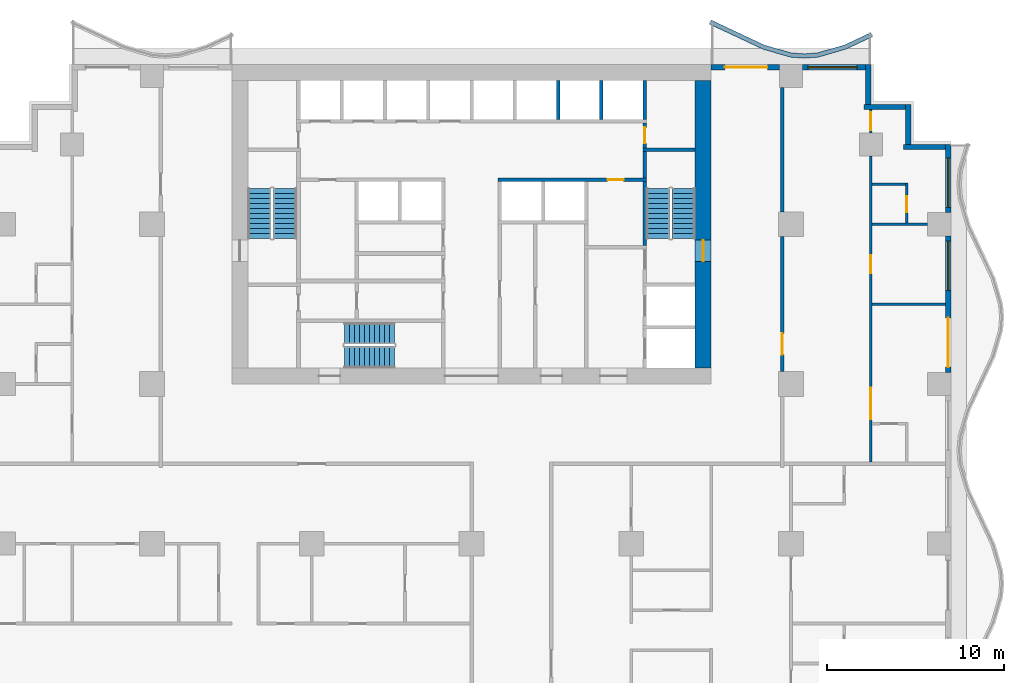
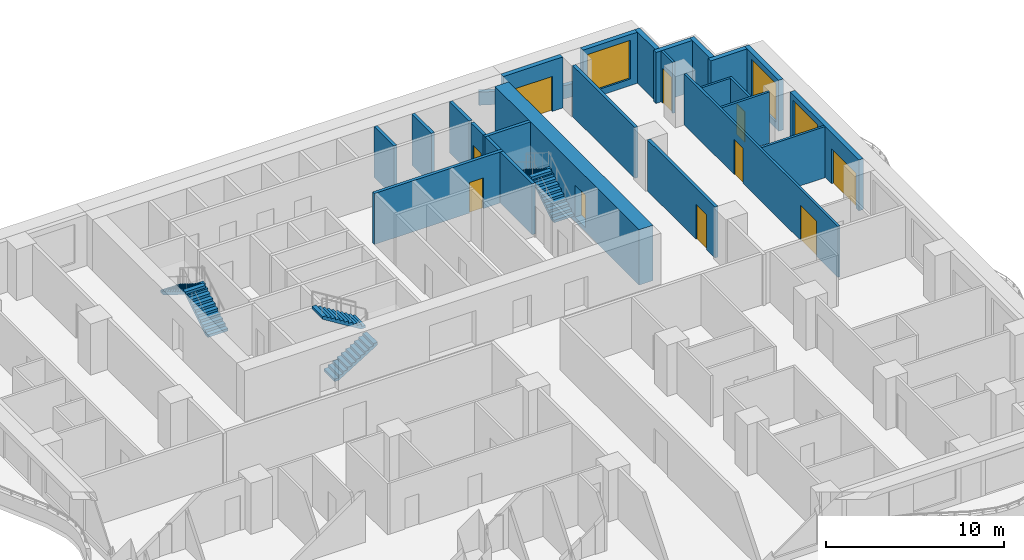
# One storey, part 6 of 13: 26 walls, 10 doors, 6 stair flights, 3 windows, 13 openings, 3 elements without a shape of their own.
"""IFC4 building model written with IfcOpenShell, lengths in metres."""

from ifc_helpers import new_model, si_unit, direction, frame, frame_2d, origin, place, context, subcontext, project, spatial, polyline, rectangle, outline, extrude, material, layer, layer_set, type_object, element, fill, aggregate, save


model = new_model("IFC4")

# Units and contexts
model_context = context("Model", 3, precision=1e-05, world=origin(), true_north=direction((0.0, 1.0)))
body_context = subcontext(model_context, "Body", "Model", "MODEL_VIEW")
ifc_project = project(units=[si_unit("LENGTHUNIT", "METRE"), si_unit("AREAUNIT", "SQUARE_METRE"), si_unit("VOLUMEUNIT", "CUBIC_METRE"), si_unit("PLANEANGLEUNIT", "RADIAN"), si_unit("MASSUNIT", "GRAM", prefix="KILO")], contexts=[model_context])

# Site, building, storey
site_placement = place(None, origin())
site = spatial("IfcSite", under=ifc_project, at=site_placement, CompositionType="ELEMENT")
building_placement = place(site_placement, origin())
building = spatial("IfcBuilding", under=site, at=building_placement, Name="Orbiselva Terraces", CompositionType="ELEMENT")
storey_placement = place(building_placement, frame((0.0, 0.0, 92.2)))
storey = spatial("IfcBuildingStorey", under=building, at=storey_placement, Name="L23", CompositionType="ELEMENT", Elevation=92.2)

# Wall, opening, door
ifc_material_1 = material(Name="Concrete C80/95", Category="concrete")
ifc_layer_1 = layer(ifc_material_1, 0.9)
ifc_layer_set_1 = layer_set([ifc_layer_1], Name="Concrete C80/95")
wall_type_1 = type_object("IfcWallType", Name="CORE WALL 900", PredefinedType="SHEAR", material=ifc_layer_set_1)
wall_1_placement = place(storey_placement, frame((13.05, 5.4, -0.3), z_axis=(0.0, 0.0, 1.0), x_axis=(0.0, 1.0, 0.0)))
wall_1 = element("IfcWall", 1, at=wall_1_placement, inside=storey, type_object=wall_type_1, Name="Core wall L23 east", PredefinedType="SHEAR", context=body_context, shape_type="SweptSolid", body=[
    extrude(rectangle(XDim=16.2, YDim=0.9, at=frame_2d((8.1, 0.0))), origin(), (0.0, 0.0, 1.0), 3.8),
])
opening_1_placement = place(wall_1_placement, frame((6.0, 0.0, 0.3)))
opening_1 = element("IfcOpeningElement", 2, at=opening_1_placement, cuts=wall_1, Name="Opening DS1200", PredefinedType="OPENING", context=body_context, shape_type="SweptSolid", body=[
    extrude(rectangle(XDim=1.2, YDim=2.2, at=frame_2d((0.6, 1.1))), frame((0.0, 0.46, 0.0), z_axis=(0.0, -1.0, 0.0), x_axis=(1.0, 0.0, 0.0)), (0.0, 0.0, 1.0), 0.92),
])
ifc_material_2 = material(Name="Steel fire door", Category="steel")
door_type_1 = type_object("IfcDoorType", Name="STAIR DOOR 1200", OperationType="NOTDEFINED", PredefinedType="DOOR", material=ifc_material_2)
door_1_placement = place(opening_1_placement, frame((1.2, 0.0, 0.0), z_axis=(0.0, 0.0, 1.0), x_axis=(-1.0, 0.0, 0.0)))
door_1 = element("IfcDoor", 3, at=door_1_placement, inside=storey, type_object=door_type_1, Name="L23 EXIT STAIR S2 door", OperationType="SINGLE_SWING_LEFT", OverallHeight=2.2, OverallWidth=1.2, PredefinedType="DOOR", context=body_context, shape_type="SweptSolid", body=[
    extrude(rectangle(XDim=1.2, YDim=2.2, at=frame_2d((0.6, 1.1))), frame((0.0, 0.025, 0.0), z_axis=(0.0, -1.0, 0.0), x_axis=(1.0, 0.0, 0.0)), (0.0, 0.0, 1.0), 0.05),
])
fill(opening_1, door_1)

ifc_material_3 = material(Name="Masonry blockwork", Category="masonry")
ifc_layer_2 = layer(ifc_material_3, 0.2)
ifc_layer_set_2 = layer_set([ifc_layer_2], Name="Masonry blockwork")
wall_type_2 = type_object("IfcWallType", Name="CORE-WALL-PARTITION-200", PredefinedType="PARTITIONING", material=ifc_layer_set_2)
wall_2_placement = place(storey_placement, frame((9.75, 19.2, 0.0), z_axis=(0.0, 0.0, 1.0), x_axis=(0.0, -1.0, 0.0)))
wall_2 = element("IfcWall", 4, at=wall_2_placement, inside=storey, type_object=wall_type_2, Name="L23 core wall 50", PredefinedType="PARTITIONING", context=body_context, shape_type="SweptSolid", body=[
    extrude(rectangle(XDim=1.4, YDim=0.2, at=frame_2d((0.7, 0.0))), origin(), (0.0, 0.0, 1.0), 3.5),
])
opening_2_placement = place(wall_2_placement, frame((0.25, 0.0, 0.0)))
opening_2 = element("IfcOpeningElement", 5, at=opening_2_placement, cuts=wall_2, Name="Opening DR900", PredefinedType="OPENING", context=body_context, shape_type="SweptSolid", body=[
    extrude(rectangle(XDim=0.9, YDim=2.1, at=frame_2d((0.45, 1.05))), frame((0.0, 0.11, 0.0), z_axis=(0.0, -1.0, 0.0), x_axis=(1.0, 0.0, 0.0)), (0.0, 0.0, 1.0), 0.22),
])
door_type_2 = type_object("IfcDoorType", Name="ROOM DOOR 900", OperationType="NOTDEFINED", PredefinedType="DOOR", material=ifc_material_2)
door_2_placement = place(opening_2_placement, origin())
door_2 = element("IfcDoor", 6, at=door_2_placement, inside=storey, type_object=door_type_2, Name="L23 ELECTRICAL RISER ROOM door", OperationType="SINGLE_SWING_RIGHT", OverallHeight=2.1, OverallWidth=0.9, PredefinedType="DOOR", context=body_context, shape_type="SweptSolid", body=[
    extrude(rectangle(XDim=0.9, YDim=2.1, at=frame_2d((0.45, 1.05))), frame((0.0, 0.025, 0.0), z_axis=(0.0, -1.0, 0.0), x_axis=(1.0, 0.0, 0.0)), (0.0, 0.0, 1.0), 0.05),
])
fill(opening_2, door_2)

# Walls
ifc_material_4 = material(Name="Concrete C40/50", Category="concrete")
ifc_layer_3 = layer(ifc_material_4, 0.2)
ifc_layer_set_3 = layer_set([ifc_layer_3], Name="Concrete C40/50")
wall_type_3 = type_object("IfcWallType", Name="CORE-WALL-SHAFT-200", PredefinedType="PARTITIONING", material=ifc_layer_set_3)
for number, where, z_axis, x_axis, name in (
    (7, (4.875, 19.4, 0.0), (0.0, 0.0, 1.0), (0.0, 1.0, 0.0), "L23 core wall 36"),
    (8, (7.3125, 19.4, 0.0), (0.0, 0.0, 1.0), (0.0, 1.0, 0.0), "L23 core wall 41"),
    (9, (9.75, 19.4, 0.0), (0.0, 0.0, 1.0), (0.0, 1.0, 0.0), "L23 core wall 51"),
):
    element("IfcWall", number, at=place(storey_placement, frame(where, z_axis=z_axis, x_axis=x_axis)), inside=storey, type_object=wall_type_3, Name=name, PredefinedType="PARTITIONING", context=body_context, shape_type="SweptSolid", body=[
        extrude(rectangle(XDim=2.2, YDim=0.2, at=frame_2d((1.1, 0.0))), origin(), (0.0, 0.0, 1.0), 3.5),
    ])

# Wall, opening, door
ifc_material_5 = material(Name="Concrete C60/75", Category="concrete")
ifc_layer_4 = layer(ifc_material_5, 0.2)
ifc_layer_set_4 = layer_set([ifc_layer_4], Name="Concrete C60/75")
wall_type_4 = type_object("IfcWallType", Name="CORE-WALL-SHEAR-200", PredefinedType="SHEAR", material=ifc_layer_set_4)
wall_3_placement = place(storey_placement, frame((9.85, 16.0, 0.0), z_axis=(0.0, 0.0, 1.0), x_axis=(-1.0, 0.0, 0.0)))
wall_3 = element("IfcWall", 10, at=wall_3_placement, inside=storey, type_object=wall_type_4, Name="L23 core wall 32", PredefinedType="SHEAR", context=body_context, shape_type="SweptSolid", body=[
    extrude(rectangle(XDim=8.35, YDim=0.2, at=frame_2d((4.175, 0.0))), origin(), (0.0, 0.0, 1.0), 3.5),
])
opening_3_placement = place(wall_3_placement, frame((1.2875, 0.0, 0.0)))
opening_3 = element("IfcOpeningElement", 11, at=opening_3_placement, cuts=wall_3, Name="Opening DR900", PredefinedType="OPENING", context=body_context, shape_type="SweptSolid", body=[
    extrude(rectangle(XDim=0.9, YDim=2.1, at=frame_2d((0.45, 1.05))), frame((0.0, 0.11, 0.0), z_axis=(0.0, -1.0, 0.0), x_axis=(1.0, 0.0, 0.0)), (0.0, 0.0, 1.0), 0.22),
])
door_3_placement = place(opening_3_placement, origin())
door_3 = element("IfcDoor", 12, at=door_3_placement, inside=storey, type_object=door_type_2, Name="L23 PIPE RISER ROOM door", OperationType="SINGLE_SWING_LEFT", OverallHeight=2.1, OverallWidth=0.9, PredefinedType="DOOR", context=body_context, shape_type="SweptSolid", body=[
    extrude(rectangle(XDim=0.9, YDim=2.1, at=frame_2d((0.45, 1.05))), frame((0.0, 0.025, 0.0), z_axis=(0.0, -1.0, 0.0), x_axis=(1.0, 0.0, 0.0)), (0.0, 0.0, 1.0), 0.05),
])
fill(opening_3, door_3)

# Walls
wall_4_placement = place(storey_placement, frame((9.75, 12.3, 0.0), z_axis=(0.0, 0.0, 1.0), x_axis=(0.0, 1.0, 0.0)))
element("IfcWall", 13, at=wall_4_placement, inside=storey, type_object=wall_type_4, Name="L23 core wall 47", PredefinedType="SHEAR", context=body_context, shape_type="SweptSolid", body=[
    extrude(rectangle(XDim=3.6, YDim=0.2, at=frame_2d((1.8, 0.0))), origin(), (0.0, 0.0, 1.0), 3.5),
])
wall_5_placement = place(storey_placement, frame((9.75, 16.1, 0.0), z_axis=(0.0, 0.0, 1.0), x_axis=(0.0, 1.0, 0.0)))
element("IfcWall", 14, at=wall_5_placement, inside=storey, type_object=wall_type_4, Name="L23 core wall 48", PredefinedType="SHEAR", context=body_context, shape_type="SweptSolid", body=[
    extrude(rectangle(XDim=1.5, YDim=0.2, at=frame_2d((0.75, 0.0))), origin(), (0.0, 0.0, 1.0), 3.5),
])
wall_6_placement = place(storey_placement, frame((9.65, 17.7, 0.0), z_axis=(0.0, 0.0, 1.0), x_axis=(1.0, 0.0, 0.0)))
element("IfcWall", 15, at=wall_6_placement, inside=storey, type_object=wall_type_4, Name="L23 core wall 49", PredefinedType="SHEAR", context=body_context, shape_type="SweptSolid", body=[
    extrude(rectangle(XDim=2.95, YDim=0.2, at=frame_2d((1.475, 0.0))), origin(), (0.0, 0.0, 1.0), 3.5),
])
ifc_layer_5 = layer(ifc_material_4, 0.25)
ifc_layer_set_5 = layer_set([ifc_layer_5], Name="Concrete C40/50")
wall_type_5 = type_object("IfcWallType", Name="ENV-PLANTER-250x900", PredefinedType="USERDEFINED", material=ifc_layer_set_5)
wall_7_placement = place(storey_placement, origin())
element("IfcWall", 16, at=wall_7_placement, inside=storey, type_object=wall_type_5, Name="Balcony planter L23 NE", ObjectType="PLANTER", PredefinedType="USERDEFINED", context=body_context, shape_type="SweptSolid", body=[
    extrude(outline(polyline([(22.5, 24.3), (21.0, 23.594658), (19.5, 23.158732), (18.75, 23.1), (18.0, 23.158732), (16.5, 23.594658), (15.0, 24.3), (13.5, 25.005342), (13.393617, 24.779106), (14.893617, 24.073764), (16.411382, 23.360069), (17.954886, 22.911499), (18.75, 22.849235), (19.545114, 22.911499), (21.088618, 23.360069), (22.606383, 24.073764), (22.5, 24.3)])), origin(), (0.0, 0.0, 1.0), 0.9),
])

# Wall, openings, door, window
ifc_material_6 = material(Name="Terracotta cladding on masonry backing", Category="masonry")
ifc_layer_6 = layer(ifc_material_6, 0.3)
ifc_layer_set_6 = layer_set([ifc_layer_6], Name="Terracotta cladding on masonry backing")
wall_type_6 = type_object("IfcWallType", Name="ENV-WALL-TERRACOTTA-300", PredefinedType="SOLIDWALL", material=ifc_layer_set_6)
wall_8_placement = place(storey_placement, frame((26.85, 12.85, 0.0), z_axis=(0.0, 0.0, 1.0), x_axis=(0.0, -1.0, 0.0)))
wall_8 = element("IfcWall", 17, at=wall_8_placement, inside=storey, type_object=wall_type_6, Name="Facade wall L23 E", PredefinedType="SOLIDWALL", context=body_context, shape_type="SweptSolid", body=[
    extrude(rectangle(XDim=7.7, YDim=0.3, at=frame_2d((3.85, 0.0))), origin(), (0.0, 0.0, 1.0), 3.5),
])
opening_4_placement = place(wall_8_placement, frame((4.625, 0.0, 0.0)))
opening_4 = element("IfcOpeningElement", 18, at=opening_4_placement, cuts=wall_8, Name="Opening Z2-C-E05", PredefinedType="OPENING", context=body_context, shape_type="SweptSolid", body=[
    extrude(rectangle(XDim=2.775, YDim=2.4, at=frame_2d((1.3875, 1.2))), frame((0.0, 0.16, 0.0), z_axis=(0.0, -1.0, 0.0), x_axis=(1.0, 0.0, 0.0)), (0.0, 0.0, 1.0), 0.32),
])
opening_5_placement = place(wall_8_placement, frame((0.3, 0.0, 0.45)))
opening_5 = element("IfcOpeningElement", 19, at=opening_5_placement, cuts=wall_8, Name="Opening WN6", PredefinedType="OPENING", context=body_context, shape_type="SweptSolid", body=[
    extrude(rectangle(XDim=2.775, YDim=2.65, at=frame_2d((1.3875, 1.325))), frame((0.0, 0.16, 0.0), z_axis=(0.0, -1.0, 0.0), x_axis=(1.0, 0.0, 0.0)), (0.0, 0.0, 1.0), 0.32),
])
ifc_material_7 = material(Name="Clear low-e glazing in aluminium frame", Category="aluminium")
door_type_3 = type_object("IfcDoorType", Name="BALCONY DOOR 2775 X 2400", OperationType="DOUBLE_DOOR_SLIDING", PredefinedType="DOOR", material=ifc_material_7)
door_4_placement = place(opening_4_placement, origin())
door_4 = element("IfcDoor", 20, at=door_4_placement, inside=storey, type_object=door_type_3, Name="Z2-C-E05", OperationType="SINGLE_SWING_LEFT", OverallHeight=2.4, OverallWidth=2.775, PredefinedType="DOOR", context=body_context, shape_type="SweptSolid", body=[
    extrude(rectangle(XDim=2.775, YDim=2.4, at=frame_2d((1.3875, 1.2))), frame((0.0, 0.025, 0.0), z_axis=(0.0, -1.0, 0.0), x_axis=(1.0, 0.0, 0.0)), (0.0, 0.0, 1.0), 0.05),
])
fill(opening_4, door_4)
window_type = type_object("IfcWindowType", Name="WINDOW 2775 X 2650 S450", PartitioningType="TRIPLE_PANEL_VERTICAL", PredefinedType="WINDOW", material=ifc_material_7)
window_1_placement = place(opening_5_placement, origin())
window_1 = element("IfcWindow", 21, at=window_1_placement, inside=storey, type_object=window_type, Name="Window L23 E", OverallHeight=2.65, OverallWidth=2.775, PartitioningType="SINGLE_PANEL", PredefinedType="WINDOW", context=body_context, shape_type="SweptSolid", body=[
    extrude(rectangle(XDim=2.775, YDim=2.65, at=frame_2d((1.3875, 1.325))), frame((0.0, 0.03, 0.0), z_axis=(0.0, -1.0, 0.0), x_axis=(1.0, 0.0, 0.0)), (0.0, 0.0, 1.0), 0.06),
])
fill(opening_5, window_1)

# Wall, opening, window
wall_9_placement = place(storey_placement, frame((26.85, 18.0, 0.0), z_axis=(0.0, 0.0, 1.0), x_axis=(0.0, -1.0, 0.0)))
wall_9 = element("IfcWall", 22, at=wall_9_placement, inside=storey, type_object=wall_type_6, Name="Facade wall L23 E", PredefinedType="SOLIDWALL", context=body_context, shape_type="SweptSolid", body=[
    extrude(rectangle(XDim=3.85, YDim=0.3, at=frame_2d((1.925, 0.0))), origin(), (0.0, 0.0, 1.0), 3.5),
])
opening_6_placement = place(wall_9_placement, frame((0.775, 0.0, 0.45)))
opening_6 = element("IfcOpeningElement", 23, at=opening_6_placement, cuts=wall_9, Name="Opening WN6", PredefinedType="OPENING", context=body_context, shape_type="SweptSolid", body=[
    extrude(rectangle(XDim=2.775, YDim=2.65, at=frame_2d((1.3875, 1.325))), frame((0.0, 0.16, 0.0), z_axis=(0.0, -1.0, 0.0), x_axis=(1.0, 0.0, 0.0)), (0.0, 0.0, 1.0), 0.32),
])
window_2_placement = place(opening_6_placement, origin())
window_2 = element("IfcWindow", 24, at=window_2_placement, inside=storey, type_object=window_type, Name="Window L23 E", OverallHeight=2.65, OverallWidth=2.775, PartitioningType="SINGLE_PANEL", PredefinedType="WINDOW", context=body_context, shape_type="SweptSolid", body=[
    extrude(rectangle(XDim=2.775, YDim=2.65, at=frame_2d((1.3875, 1.325))), frame((0.0, 0.03, 0.0), z_axis=(0.0, -1.0, 0.0), x_axis=(1.0, 0.0, 0.0)), (0.0, 0.0, 1.0), 0.06),
])
fill(opening_6, window_2)

# Walls
wall_10_placement = place(storey_placement, frame((24.35, 17.85, 0.0), z_axis=(0.0, 0.0, 1.0), x_axis=(1.0, 0.0, 0.0)))
element("IfcWall", 25, at=wall_10_placement, inside=storey, type_object=wall_type_6, Name="Facade wall L23 STEP", PredefinedType="SOLIDWALL", context=body_context, shape_type="SweptSolid", body=[
    extrude(rectangle(XDim=2.35, YDim=0.3, at=frame_2d((1.175, 0.0))), origin(), (0.0, 0.0, 1.0), 3.5),
])
wall_11_placement = place(storey_placement, frame((24.6, 20.25, 0.0), z_axis=(0.0, 0.0, 1.0), x_axis=(0.0, -1.0, 0.0)))
element("IfcWall", 26, at=wall_11_placement, inside=storey, type_object=wall_type_6, Name="Facade wall L23 STEP", PredefinedType="SOLIDWALL", context=body_context, shape_type="SweptSolid", body=[
    extrude(rectangle(XDim=2.25, YDim=0.3, at=frame_2d((1.125, 0.0))), origin(), (0.0, 0.0, 1.0), 3.5),
])
wall_12_placement = place(storey_placement, frame((22.1, 20.1, 0.0), z_axis=(0.0, 0.0, 1.0), x_axis=(1.0, 0.0, 0.0)))
element("IfcWall", 27, at=wall_12_placement, inside=storey, type_object=wall_type_6, Name="Facade wall L23 STEP", PredefinedType="SOLIDWALL", context=body_context, shape_type="SweptSolid", body=[
    extrude(rectangle(XDim=2.35, YDim=0.3, at=frame_2d((1.175, 0.0))), origin(), (0.0, 0.0, 1.0), 3.5),
])
wall_13_placement = place(storey_placement, frame((22.35, 22.5, 0.0), z_axis=(0.0, 0.0, 1.0), x_axis=(0.0, -1.0, 0.0)))
element("IfcWall", 28, at=wall_13_placement, inside=storey, type_object=wall_type_6, Name="Facade wall L23 STEP", PredefinedType="SOLIDWALL", context=body_context, shape_type="SweptSolid", body=[
    extrude(rectangle(XDim=2.25, YDim=0.3, at=frame_2d((1.125, 0.0))), origin(), (0.0, 0.0, 1.0), 3.5),
])

# Wall, opening, window
wall_14_placement = place(storey_placement, frame((18.65, 22.35, 0.0), z_axis=(0.0, 0.0, 1.0), x_axis=(1.0, 0.0, 0.0)))
wall_14 = element("IfcWall", 29, at=wall_14_placement, inside=storey, type_object=wall_type_6, Name="Facade wall L23 NE", PredefinedType="SOLIDWALL", context=body_context, shape_type="SweptSolid", body=[
    extrude(rectangle(XDim=3.55, YDim=0.3, at=frame_2d((1.775, 0.0))), origin(), (0.0, 0.0, 1.0), 3.5),
])
opening_7_placement = place(wall_14_placement, frame((0.3, 0.0, 0.45)))
opening_7 = element("IfcOpeningElement", 30, at=opening_7_placement, cuts=wall_14, Name="Opening WN6", PredefinedType="OPENING", context=body_context, shape_type="SweptSolid", body=[
    extrude(rectangle(XDim=2.775, YDim=2.65, at=frame_2d((1.3875, 1.325))), frame((0.0, 0.16, 0.0), z_axis=(0.0, -1.0, 0.0), x_axis=(1.0, 0.0, 0.0)), (0.0, 0.0, 1.0), 0.32),
])
window_3_placement = place(opening_7_placement, origin())
window_3 = element("IfcWindow", 31, at=window_3_placement, inside=storey, type_object=window_type, Name="Window L23 NE", OverallHeight=2.65, OverallWidth=2.775, PartitioningType="SINGLE_PANEL", PredefinedType="WINDOW", context=body_context, shape_type="SweptSolid", body=[
    extrude(rectangle(XDim=2.775, YDim=2.65, at=frame_2d((1.3875, 1.325))), frame((0.0, 0.03, 0.0), z_axis=(0.0, -1.0, 0.0), x_axis=(1.0, 0.0, 0.0)), (0.0, 0.0, 1.0), 0.06),
])
fill(opening_7, window_3)

# Wall, opening, door
wall_15_placement = place(storey_placement, frame((13.5, 22.35, 0.0), z_axis=(0.0, 0.0, 1.0), x_axis=(1.0, 0.0, 0.0)))
wall_15 = element("IfcWall", 32, at=wall_15_placement, inside=storey, type_object=wall_type_6, Name="Facade wall L23 NE", PredefinedType="SOLIDWALL", context=body_context, shape_type="SweptSolid", body=[
    extrude(rectangle(XDim=3.85, YDim=0.3, at=frame_2d((1.925, 0.0))), origin(), (0.0, 0.0, 1.0), 3.5),
])
opening_8_placement = place(wall_15_placement, frame((0.775, 0.0, 0.0)))
opening_8 = element("IfcOpeningElement", 33, at=opening_8_placement, cuts=wall_15, Name="Opening Z2-C-E06", PredefinedType="OPENING", context=body_context, shape_type="SweptSolid", body=[
    extrude(rectangle(XDim=2.4, YDim=2.4, at=frame_2d((1.2, 1.2))), frame((0.0, 0.16, 0.0), z_axis=(0.0, -1.0, 0.0), x_axis=(1.0, 0.0, 0.0)), (0.0, 0.0, 1.0), 0.32),
])
door_type_4 = type_object("IfcDoorType", Name="BALCONY DOOR 2400 X 2400", OperationType="DOUBLE_DOOR_SLIDING", PredefinedType="DOOR", material=ifc_material_7)
door_5_placement = place(opening_8_placement, origin())
door_5 = element("IfcDoor", 34, at=door_5_placement, inside=storey, type_object=door_type_4, Name="Z2-C-E06", OperationType="SINGLE_SWING_LEFT", OverallHeight=2.4, OverallWidth=2.4, PredefinedType="DOOR", context=body_context, shape_type="SweptSolid", body=[
    extrude(rectangle(XDim=2.4, YDim=2.4, at=frame_2d((1.2, 1.2))), frame((0.0, 0.025, 0.0), z_axis=(0.0, -1.0, 0.0), x_axis=(1.0, 0.0, 0.0)), (0.0, 0.0, 1.0), 0.05),
])
fill(opening_8, door_5)

ifc_material_8 = material(Name="Plasterboard on steel stud partition", Category="steel")
ifc_layer_7 = layer(ifc_material_8, 0.2)
ifc_layer_set_7 = layer_set([ifc_layer_7], Name="Plasterboard on steel stud partition")
wall_type_7 = type_object("IfcWallType", Name="UNIT-ENTRANCE-WALL-200", PredefinedType="PARTITIONING", material=ifc_layer_set_7)
wall_16_placement = place(storey_placement, frame((17.5, 12.8, 0.0), z_axis=(0.0, 0.0, 1.0), x_axis=(0.0, -1.0, 0.0)))
wall_16 = element("IfcWall", 35, at=wall_16_placement, inside=storey, type_object=wall_type_7, Name="PARTITION L23-068", PredefinedType="PARTITIONING", context=body_context, shape_type="SweptSolid", body=[
    extrude(rectangle(XDim=7.6, YDim=0.2, at=frame_2d((3.8, 0.0))), origin(), (0.0, 0.0, 1.0), 3.5),
])
opening_9_placement = place(wall_16_placement, frame((5.45, 0.0, 0.0)))
opening_9 = element("IfcOpeningElement", 36, at=opening_9_placement, cuts=wall_16, Name="Opening Z2-C-07", PredefinedType="OPENING", context=body_context, shape_type="SweptSolid", body=[
    extrude(rectangle(XDim=1.2, YDim=2.4, at=frame_2d((0.6, 1.2))), frame((0.0, 0.11, 0.0), z_axis=(0.0, -1.0, 0.0), x_axis=(1.0, 0.0, 0.0)), (0.0, 0.0, 1.0), 0.22),
])
ifc_material_9 = material(Name="Painted timber door leaf", Category="wood")
door_type_5 = type_object("IfcDoorType", Name="ENTRANCE DOOR 1200", OperationType="NOTDEFINED", PredefinedType="DOOR", material=ifc_material_9)
door_6_placement = place(opening_9_placement, origin())
door_6 = element("IfcDoor", 37, at=door_6_placement, inside=storey, type_object=door_type_5, Name="Z2-C-07", OperationType="SINGLE_SWING_RIGHT", OverallHeight=2.4, OverallWidth=1.2, PredefinedType="DOOR", context=body_context, shape_type="SweptSolid", body=[
    extrude(rectangle(XDim=1.2, YDim=2.4, at=frame_2d((0.6, 1.2))), frame((0.0, 0.025, 0.0), z_axis=(0.0, -1.0, 0.0), x_axis=(1.0, 0.0, 0.0)), (0.0, 0.0, 1.0), 0.05),
])
fill(opening_9, door_6)

# Walls
wall_17_placement = place(storey_placement, frame((17.5, 14.2, 0.0), z_axis=(0.0, 0.0, 1.0), x_axis=(0.0, 1.0, 0.0)))
element("IfcWall", 38, at=wall_17_placement, inside=storey, type_object=wall_type_7, Name="PARTITION L23-069", PredefinedType="PARTITIONING", context=body_context, shape_type="SweptSolid", body=[
    extrude(rectangle(XDim=7.0, YDim=0.2, at=frame_2d((3.5, 0.0))), origin(), (0.0, 0.0, 1.0), 3.5),
])
ifc_layer_8 = layer(ifc_material_8, 0.15)
ifc_layer_set_8 = layer_set([ifc_layer_8], Name="Plasterboard on steel stud partition")
wall_type_8 = type_object("IfcWallType", Name="UNIT-PARTITION-150", PredefinedType="PARTITIONING", material=ifc_layer_set_8)
wall_18_placement = place(storey_placement, frame((22.575, 9.0, 0.0), z_axis=(0.0, 0.0, 1.0), x_axis=(1.0, 0.0, 0.0)))
element("IfcWall", 39, at=wall_18_placement, inside=storey, type_object=wall_type_8, Name="PARTITION L23-033", PredefinedType="PARTITIONING", context=body_context, shape_type="SweptSolid", body=[
    extrude(rectangle(XDim=4.125, YDim=0.15, at=frame_2d((2.0625, 0.0))), origin(), (0.0, 0.0, 1.0), 3.5),
])
wall_19_placement = place(storey_placement, frame((22.575, 13.5, 0.0), z_axis=(0.0, 0.0, 1.0), x_axis=(1.0, 0.0, 0.0)))
element("IfcWall", 40, at=wall_19_placement, inside=storey, type_object=wall_type_8, Name="PARTITION L23-035", PredefinedType="PARTITIONING", context=body_context, shape_type="SweptSolid", body=[
    extrude(rectangle(XDim=3.125, YDim=0.15, at=frame_2d((1.5625, 0.0))), origin(), (0.0, 0.0, 1.0), 3.5),
])
wall_20_placement = place(storey_placement, frame((22.575, 15.75, 0.0), z_axis=(0.0, 0.0, 1.0), x_axis=(1.0, 0.0, 0.0)))
element("IfcWall", 41, at=wall_20_placement, inside=storey, type_object=wall_type_8, Name="PARTITION L23-036", PredefinedType="PARTITIONING", context=body_context, shape_type="SweptSolid", body=[
    extrude(rectangle(XDim=1.875, YDim=0.15, at=frame_2d((0.9375, 0.0))), origin(), (0.0, 0.0, 1.0), 3.5),
])

# Wall, openings, doors
wall_21_placement = place(storey_placement, frame((22.5, 17.35, 0.0), z_axis=(0.0, 0.0, 1.0), x_axis=(0.0, -1.0, 0.0)))
wall_21 = element("IfcWall", 42, at=wall_21_placement, inside=storey, type_object=wall_type_8, Name="PARTITION L23-076", PredefinedType="PARTITIONING", context=body_context, shape_type="SweptSolid", body=[
    extrude(rectangle(XDim=17.25, YDim=0.15, at=frame_2d((8.625, 0.0))), origin(), (0.0, 0.0, 1.0), 3.5),
])
opening_10_placement = place(wall_21_placement, frame((13.05, 0.0, 0.0)))
opening_10 = element("IfcOpeningElement", 43, at=opening_10_placement, cuts=wall_21, Name="Opening Z2-C-08", PredefinedType="OPENING", context=body_context, shape_type="SweptSolid", body=[
    extrude(rectangle(XDim=1.8, YDim=2.4, at=frame_2d((0.9, 1.2))), frame((0.0, 0.085, 0.0), z_axis=(0.0, -1.0, 0.0), x_axis=(1.0, 0.0, 0.0)), (0.0, 0.0, 1.0), 0.17),
])
opening_11_placement = place(wall_21_placement, frame((5.6, 0.0, 0.0)))
opening_11 = element("IfcOpeningElement", 44, at=opening_11_placement, cuts=wall_21, Name="Opening Z2-C-10", PredefinedType="OPENING", context=body_context, shape_type="SweptSolid", body=[
    extrude(rectangle(XDim=1.0, YDim=2.4, at=frame_2d((0.5, 1.2))), frame((0.0, 0.085, 0.0), z_axis=(0.0, -1.0, 0.0), x_axis=(1.0, 0.0, 0.0)), (0.0, 0.0, 1.0), 0.17),
])
door_type_6 = type_object("IfcDoorType", Name="DOUBLE DOOR 1800", OperationType="NOTDEFINED", PredefinedType="DOOR", material=ifc_material_9)
door_7_placement = place(opening_10_placement, origin())
door_7 = element("IfcDoor", 45, at=door_7_placement, inside=storey, type_object=door_type_6, Name="Z2-C-08", OperationType="DOUBLE_DOOR_SINGLE_SWING", OverallHeight=2.4, OverallWidth=1.8, PredefinedType="DOOR", context=body_context, shape_type="SweptSolid", body=[
    extrude(rectangle(XDim=1.8, YDim=2.4, at=frame_2d((0.9, 1.2))), frame((0.0, 0.025, 0.0), z_axis=(0.0, -1.0, 0.0), x_axis=(1.0, 0.0, 0.0)), (0.0, 0.0, 1.0), 0.05),
])
fill(opening_10, door_7)
door_type_7 = type_object("IfcDoorType", Name="ROOM DOOR 1000", OperationType="NOTDEFINED", PredefinedType="DOOR", material=ifc_material_9)
door_8_placement = place(opening_11_placement, origin())
door_8 = element("IfcDoor", 46, at=door_8_placement, inside=storey, type_object=door_type_7, Name="Z2-C-10", OperationType="SINGLE_SWING_LEFT", OverallHeight=2.4, OverallWidth=1.0, PredefinedType="DOOR", context=body_context, shape_type="SweptSolid", body=[
    extrude(rectangle(XDim=1.0, YDim=2.4, at=frame_2d((0.5, 1.2))), frame((0.0, 0.025, 0.0), z_axis=(0.0, -1.0, 0.0), x_axis=(1.0, 0.0, 0.0)), (0.0, 0.0, 1.0), 0.05),
])
fill(opening_11, door_8)

# Wall, opening, door
wall_22_placement = place(storey_placement, frame((22.5, 19.95, 0.0), z_axis=(0.0, 0.0, 1.0), x_axis=(0.0, -1.0, 0.0)))
wall_22 = element("IfcWall", 47, at=wall_22_placement, inside=storey, type_object=wall_type_8, Name="PARTITION L23-077", PredefinedType="PARTITIONING", context=body_context, shape_type="SweptSolid", body=[
    extrude(rectangle(XDim=1.3, YDim=0.15, at=frame_2d((0.65, 0.0))), origin(), (0.0, 0.0, 1.0), 3.5),
])
opening_12_placement = place(wall_22_placement, frame((0.15, 0.0, 0.0)))
opening_12 = element("IfcOpeningElement", 48, at=opening_12_placement, cuts=wall_22, Name="Opening Z2-C-11", PredefinedType="OPENING", context=body_context, shape_type="SweptSolid", body=[
    extrude(rectangle(XDim=1.0, YDim=2.4, at=frame_2d((0.5, 1.2))), frame((0.0, 0.085, 0.0), z_axis=(0.0, -1.0, 0.0), x_axis=(1.0, 0.0, 0.0)), (0.0, 0.0, 1.0), 0.17),
])
door_9_placement = place(opening_12_placement, origin())
door_9 = element("IfcDoor", 49, at=door_9_placement, inside=storey, type_object=door_type_7, Name="Z2-C-11", OperationType="SINGLE_SWING_RIGHT", OverallHeight=2.4, OverallWidth=1.0, PredefinedType="DOOR", context=body_context, shape_type="SweptSolid", body=[
    extrude(rectangle(XDim=1.0, YDim=2.4, at=frame_2d((0.5, 1.2))), frame((0.0, 0.025, 0.0), z_axis=(0.0, -1.0, 0.0), x_axis=(1.0, 0.0, 0.0)), (0.0, 0.0, 1.0), 0.05),
])
fill(opening_12, door_9)

wall_23_placement = place(storey_placement, frame((24.525, 13.575, 0.0), z_axis=(0.0, 0.0, 1.0), x_axis=(0.0, 1.0, 0.0)))
wall_23 = element("IfcWall", 50, at=wall_23_placement, inside=storey, type_object=wall_type_8, Name="PARTITION L23-079", PredefinedType="PARTITIONING", context=body_context, shape_type="SweptSolid", body=[
    extrude(rectangle(XDim=2.25, YDim=0.15, at=frame_2d((1.125, 0.0))), origin(), (0.0, 0.0, 1.0), 3.5),
])
opening_13_placement = place(wall_23_placement, frame((0.6, 0.0, 0.0)))
opening_13 = element("IfcOpeningElement", 51, at=opening_13_placement, cuts=wall_23, Name="Opening Z2-C-12", PredefinedType="OPENING", context=body_context, shape_type="SweptSolid", body=[
    extrude(rectangle(XDim=0.9, YDim=2.1, at=frame_2d((0.45, 1.05))), frame((0.0, 0.085, 0.0), z_axis=(0.0, -1.0, 0.0), x_axis=(1.0, 0.0, 0.0)), (0.0, 0.0, 1.0), 0.17),
])
door_type_8 = type_object("IfcDoorType", Name="BATH DOOR 900", OperationType="NOTDEFINED", PredefinedType="DOOR", material=ifc_material_9)
door_10_placement = place(opening_13_placement, origin())
door_10 = element("IfcDoor", 52, at=door_10_placement, inside=storey, type_object=door_type_8, Name="Z2-C-12", OperationType="SINGLE_SWING_LEFT", OverallHeight=2.1, OverallWidth=0.9, PredefinedType="DOOR", context=body_context, shape_type="SweptSolid", body=[
    extrude(rectangle(XDim=0.9, YDim=2.1, at=frame_2d((0.45, 1.05))), frame((0.0, 0.025, 0.0), z_axis=(0.0, -1.0, 0.0), x_axis=(1.0, 0.0, 0.0)), (0.0, 0.0, 1.0), 0.05),
])
fill(opening_13, door_10)

# Stair, stair flights
stair_type_1 = type_object("IfcStairType", Name="CORE-STAIR-1200", PredefinedType="HALF_TURN_STAIR", material=ifc_material_4)
stair_1_placement = place(storey_placement, origin())
stair_1 = element("IfcStair", 53, at=stair_1_placement, inside=storey, type_object=stair_type_1, Name="L23 Exit Stair S3", PredefinedType="HALF_TURN_STAIR")
stair_flight_type_1 = type_object("IfcStairFlightType", Name="CORE-STAIR-FLIGHT-1200", PredefinedType="STRAIGHT", material=ifc_material_4)
stair_flight_1_placement = place(storey_placement, frame((-7.15, 6.0, 0.0), z_axis=(0.0, 0.0, 1.0), x_axis=(1.0, 0.0, 0.0)))
stair_flight_1 = element("IfcStairFlight", 54, at=stair_flight_1_placement, type_object=stair_flight_type_1, Name="S3 flight 1", NumberOfRisers=11, NumberOfTreads=10, PredefinedType="STRAIGHT", RiserHeight=0.172727273, TreadLength=0.28, context=body_context, shape_type="SweptSolid", body=[
    extrude(outline(polyline([(0.0, 0.0), (0.0, 0.172727), (0.28, 0.172727), (0.28, 0.345455), (0.56, 0.345455), (0.56, 0.518182), (0.84, 0.518182), (0.84, 0.690909), (1.12, 0.690909), (1.12, 0.863636), (1.4, 0.863636), (1.4, 1.036364), (1.68, 1.036364), (1.68, 1.209091), (1.96, 1.209091), (1.96, 1.381818), (2.24, 1.381818), (2.24, 1.554545), (2.52, 1.554545), (2.52, 1.727273), (2.8, 1.727273), (2.8, 1.9), (2.8, 1.551028), (0.285702, 0.0), (0.0, 0.0)])), frame((0.0, 0.6, 0.0), z_axis=(0.0, -1.0, 0.0), x_axis=(1.0, 0.0, 0.0)), (0.0, 0.0, 1.0), 1.2),
])
stair_flight_2_placement = place(storey_placement, frame((-4.35, 7.35, 1.9), z_axis=(0.0, 0.0, 1.0), x_axis=(-1.0, 0.0, 0.0)))
stair_flight_2 = element("IfcStairFlight", 55, at=stair_flight_2_placement, type_object=stair_flight_type_1, Name="S3 flight 2", NumberOfRisers=11, NumberOfTreads=10, PredefinedType="STRAIGHT", RiserHeight=0.172727273, TreadLength=0.28, context=body_context, shape_type="SweptSolid", body=[
    extrude(outline(polyline([(0.0, 0.0), (0.0, 0.172727), (0.28, 0.172727), (0.28, 0.345455), (0.56, 0.345455), (0.56, 0.518182), (0.84, 0.518182), (0.84, 0.690909), (1.12, 0.690909), (1.12, 0.863636), (1.4, 0.863636), (1.4, 1.036364), (1.68, 1.036364), (1.68, 1.209091), (1.96, 1.209091), (1.96, 1.381818), (2.24, 1.381818), (2.24, 1.554545), (2.52, 1.554545), (2.52, 1.727273), (2.8, 1.727273), (2.8, 1.9), (2.8, 1.551028), (0.285702, 0.0), (0.0, 0.0)])), frame((0.0, 0.6, 0.0), z_axis=(0.0, -1.0, 0.0), x_axis=(1.0, 0.0, 0.0)), (0.0, 0.0, 1.0), 1.2),
])
aggregate(stair_1, [stair_flight_1, stair_flight_2])

stair_type_2 = type_object("IfcStairType", Name="CORE-STAIR-1300", PredefinedType="HALF_TURN_STAIR", material=ifc_material_4)
stair_2_placement = place(storey_placement, origin())
stair_2 = element("IfcStair", 56, at=stair_2_placement, inside=storey, type_object=stair_type_2, Name="L23 Exit Stair S1", PredefinedType="HALF_TURN_STAIR")
stair_flight_type_2 = type_object("IfcStairFlightType", Name="CORE-STAIR-FLIGHT-1300", PredefinedType="STRAIGHT", material=ifc_material_4)
stair_flight_3_placement = place(storey_placement, frame((-10.5, 12.7, 0.0), z_axis=(0.0, 0.0, 1.0), x_axis=(0.0, 1.0, 0.0)))
stair_flight_3 = element("IfcStairFlight", 57, at=stair_flight_3_placement, type_object=stair_flight_type_2, Name="S1 flight 1", NumberOfRisers=11, NumberOfTreads=10, PredefinedType="STRAIGHT", RiserHeight=0.172727273, TreadLength=0.28, context=body_context, shape_type="SweptSolid", body=[
    extrude(outline(polyline([(0.0, 0.0), (0.0, 0.172727), (0.28, 0.172727), (0.28, 0.345455), (0.56, 0.345455), (0.56, 0.518182), (0.84, 0.518182), (0.84, 0.690909), (1.12, 0.690909), (1.12, 0.863636), (1.4, 0.863636), (1.4, 1.036364), (1.68, 1.036364), (1.68, 1.209091), (1.96, 1.209091), (1.96, 1.381818), (2.24, 1.381818), (2.24, 1.554545), (2.52, 1.554545), (2.52, 1.727273), (2.8, 1.727273), (2.8, 1.9), (2.8, 1.551028), (0.285702, 0.0), (0.0, 0.0)])), frame((0.0, 0.65, 0.0), z_axis=(0.0, -1.0, 0.0), x_axis=(1.0, 0.0, 0.0)), (0.0, 0.0, 1.0), 1.3),
])
stair_flight_4_placement = place(storey_placement, frame((-11.95, 15.5, 1.9), z_axis=(0.0, 0.0, 1.0), x_axis=(0.0, -1.0, 0.0)))
stair_flight_4 = element("IfcStairFlight", 58, at=stair_flight_4_placement, type_object=stair_flight_type_2, Name="S1 flight 2", NumberOfRisers=11, NumberOfTreads=10, PredefinedType="STRAIGHT", RiserHeight=0.172727273, TreadLength=0.28, context=body_context, shape_type="SweptSolid", body=[
    extrude(outline(polyline([(0.0, 0.0), (0.0, 0.172727), (0.28, 0.172727), (0.28, 0.345455), (0.56, 0.345455), (0.56, 0.518182), (0.84, 0.518182), (0.84, 0.690909), (1.12, 0.690909), (1.12, 0.863636), (1.4, 0.863636), (1.4, 1.036364), (1.68, 1.036364), (1.68, 1.209091), (1.96, 1.209091), (1.96, 1.381818), (2.24, 1.381818), (2.24, 1.554545), (2.52, 1.554545), (2.52, 1.727273), (2.8, 1.727273), (2.8, 1.9), (2.8, 1.551028), (0.285702, 0.0), (0.0, 0.0)])), frame((0.0, 0.65, 0.0), z_axis=(0.0, -1.0, 0.0), x_axis=(1.0, 0.0, 0.0)), (0.0, 0.0, 1.0), 1.3),
])
aggregate(stair_2, [stair_flight_3, stair_flight_4])

stair_3_placement = place(storey_placement, origin())
stair_3 = element("IfcStair", 59, at=stair_3_placement, inside=storey, type_object=stair_type_2, Name="L23 Exit Stair S2", PredefinedType="HALF_TURN_STAIR")
stair_flight_5_placement = place(storey_placement, frame((11.95, 12.7, 0.0), z_axis=(0.0, 0.0, 1.0), x_axis=(0.0, 1.0, 0.0)))
stair_flight_5 = element("IfcStairFlight", 60, at=stair_flight_5_placement, type_object=stair_flight_type_2, Name="S2 flight 1", NumberOfRisers=11, NumberOfTreads=10, PredefinedType="STRAIGHT", RiserHeight=0.172727273, TreadLength=0.28, context=body_context, shape_type="SweptSolid", body=[
    extrude(outline(polyline([(0.0, 0.0), (0.0, 0.172727), (0.28, 0.172727), (0.28, 0.345455), (0.56, 0.345455), (0.56, 0.518182), (0.84, 0.518182), (0.84, 0.690909), (1.12, 0.690909), (1.12, 0.863636), (1.4, 0.863636), (1.4, 1.036364), (1.68, 1.036364), (1.68, 1.209091), (1.96, 1.209091), (1.96, 1.381818), (2.24, 1.381818), (2.24, 1.554545), (2.52, 1.554545), (2.52, 1.727273), (2.8, 1.727273), (2.8, 1.9), (2.8, 1.551028), (0.285702, 0.0), (0.0, 0.0)])), frame((0.0, 0.65, 0.0), z_axis=(0.0, -1.0, 0.0), x_axis=(1.0, 0.0, 0.0)), (0.0, 0.0, 1.0), 1.3),
])
stair_flight_6_placement = place(storey_placement, frame((10.5, 15.5, 1.9), z_axis=(0.0, 0.0, 1.0), x_axis=(0.0, -1.0, 0.0)))
stair_flight_6 = element("IfcStairFlight", 61, at=stair_flight_6_placement, type_object=stair_flight_type_2, Name="S2 flight 2", NumberOfRisers=11, NumberOfTreads=10, PredefinedType="STRAIGHT", RiserHeight=0.172727273, TreadLength=0.28, context=body_context, shape_type="SweptSolid", body=[
    extrude(outline(polyline([(0.0, 0.0), (0.0, 0.172727), (0.28, 0.172727), (0.28, 0.345455), (0.56, 0.345455), (0.56, 0.518182), (0.84, 0.518182), (0.84, 0.690909), (1.12, 0.690909), (1.12, 0.863636), (1.4, 0.863636), (1.4, 1.036364), (1.68, 1.036364), (1.68, 1.209091), (1.96, 1.209091), (1.96, 1.381818), (2.24, 1.381818), (2.24, 1.554545), (2.52, 1.554545), (2.52, 1.727273), (2.8, 1.727273), (2.8, 1.9), (2.8, 1.551028), (0.285702, 0.0), (0.0, 0.0)])), frame((0.0, 0.65, 0.0), z_axis=(0.0, -1.0, 0.0), x_axis=(1.0, 0.0, 0.0)), (0.0, 0.0, 1.0), 1.3),
])
aggregate(stair_3, [stair_flight_5, stair_flight_6])

save(model, "model.ifc")
